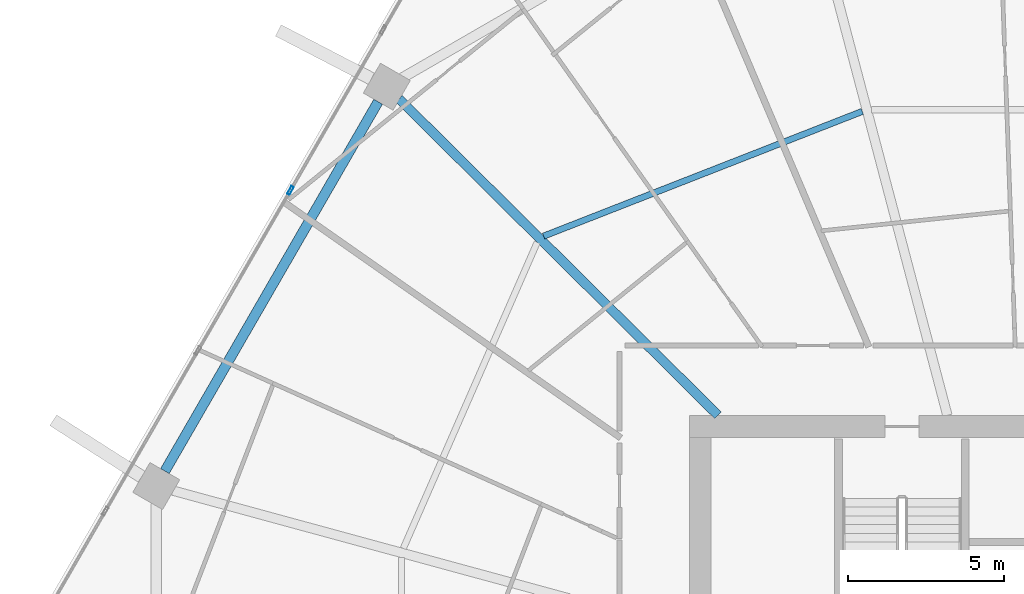
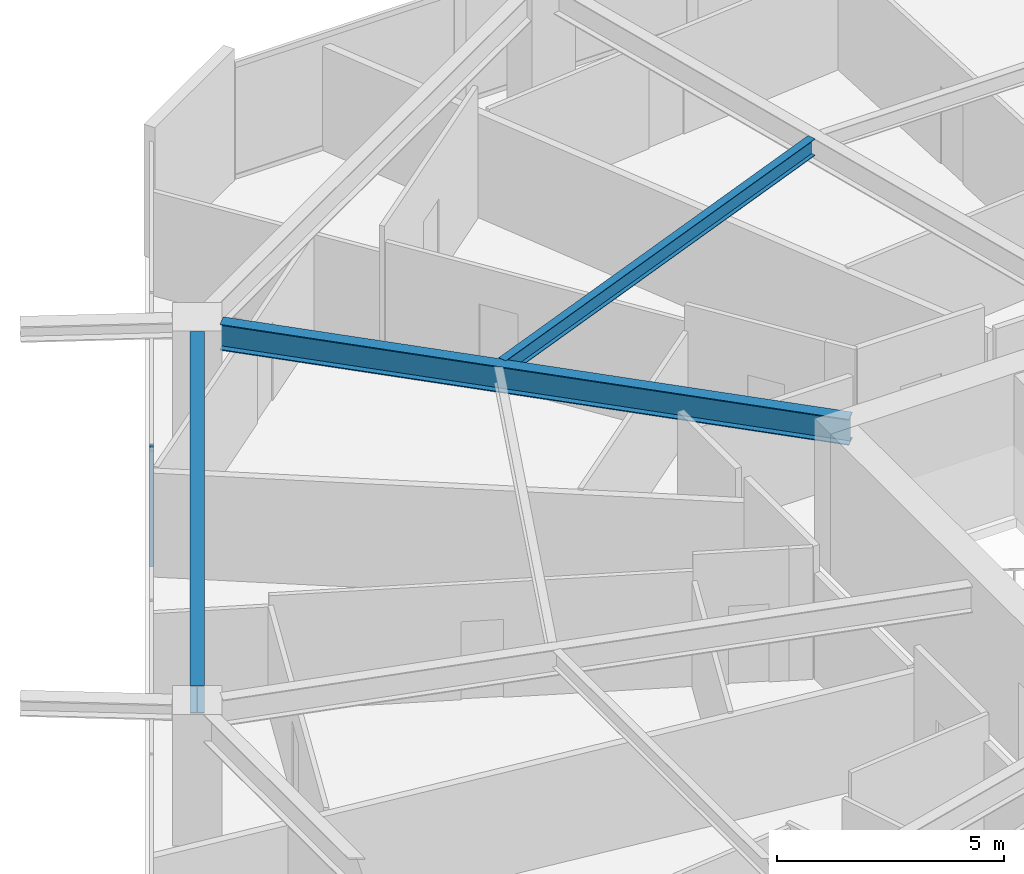
# One storey, part 14 of 32: 3 beams, 1 member, 1 element without a shape of its own.
"""IFC4 building model written with IfcOpenShell, lengths in metres."""

from ifc_helpers import new_model, si_unit, direction, frame, origin, origin_2d, place, context, subcontext, project, spatial, hollow_rectangle, i_section, extrude, material, material_profile, profile_set, type_object, element, aggregate, save


model = new_model("IFC4")

# Units and contexts
model_context = context("Model", 3, precision=1e-05, world=origin(), true_north=direction((0.0, 1.0)))
body_context = subcontext(model_context, "Body", "Model", "MODEL_VIEW")
ifc_project = project(units=[si_unit("LENGTHUNIT", "METRE"), si_unit("AREAUNIT", "SQUARE_METRE"), si_unit("VOLUMEUNIT", "CUBIC_METRE"), si_unit("PLANEANGLEUNIT", "RADIAN"), si_unit("MASSUNIT", "GRAM", prefix="KILO")], contexts=[model_context])

# Site, building, storey
site_placement = place(None, origin())
site = spatial("IfcSite", under=ifc_project, at=site_placement, CompositionType="ELEMENT")
building_placement = place(site_placement, origin())
building = spatial("IfcBuilding", under=site, at=building_placement, Name="Zuhravey Tower", CompositionType="ELEMENT")
storey_placement = place(building_placement, frame((0.0, 0.0, 111.39990234375)))
storey = spatial("IfcBuildingStorey", under=building, at=storey_placement, Name="L27", CompositionType="ELEMENT", Elevation=111.39990234375)

# Curtain wall, member
ifc_material_1 = material(Name="Thermally broken anodised aluminium", Category="aluminium")
curtain_wall_type = type_object("IfcCurtainWallType", Name="Zone 1-2 Residential Curtain Wall CW3", PredefinedType="NOTDEFINED", material=ifc_material_1)
curtain_wall_placement = place(storey_placement, origin())
curtain_wall = element("IfcCurtainWall", 1, at=curtain_wall_placement, inside=storey, type_object=curtain_wall_type, Name="L27 CW3 CW-L27-F3-1", PredefinedType="NOTDEFINED")
ifc_material_2 = material(Name="Anodised aluminium", Category="aluminium")
ifc_material_profile_1 = material_profile(ifc_material_2, hollow_rectangle(XDim=0.090087890625, YDim=0.284912109375, WallThickness=0.0048828125, at=origin_2d()), Name="ALU-RHS-90x285x5")
ifc_profile_set_1 = profile_set([ifc_material_profile_1], Name="Anodised aluminium")
member_type = type_object("IfcMemberType", Name="Curtain-Wall Mullion 90x180", PredefinedType="MULLION", material=ifc_profile_set_1)
member_placement = place(storey_placement, frame((12.401123046875, 49.04248046875, 0.0), z_axis=(0.0, 0.0, 1.0), x_axis=(-0.86602552265, 0.499999794119, 0.0)))
member = element("IfcMember", 2, at=member_placement, type_object=member_type, Name="CW3 mullion 4", PredefinedType="MULLION", context=body_context, shape_type="SweptSolid", body=[
    extrude(hollow_rectangle(XDim=0.090087890625, YDim=0.284912109375, WallThickness=0.0048828125, at=origin_2d()), origin(), (0.0, 0.0, 1.0), 3.1220703125),
])
aggregate(curtain_wall, [member])

# Beams
ifc_material_3 = material(Name="Steel SM355", Category="steel")
ifc_material_profile_2 = material_profile(ifc_material_3, i_section(OverallWidth=0.320068359375, OverallDepth=0.75, WebThickness=0.013916015625, FlangeThickness=0.02490234375, at=origin_2d()), Name="H-750x320x14x25")
ifc_profile_set_2 = profile_set([ifc_material_profile_2], Name="Steel SM355")
beam_type_1 = type_object("IfcBeamType", Name="Perimeter Ring Beam H750x320", PredefinedType="BEAM", material=ifc_profile_set_2)
beam_1_placement = place(storey_placement, frame((15.20458984375, 51.8779296875, 3.175048828125), z_axis=(-0.500008177929, -0.866020682204, 0.0), x_axis=(0.866020682204, -0.500008177929, 0.0)))
element("IfcBeam", 3, at=beam_1_placement, inside=storey, type_object=beam_type_1, Name="L27 PB1 BM-L27-PB-05", PredefinedType="BEAM", context=body_context, shape_type="SweptSolid", body=[
    extrude(i_section(OverallWidth=0.320068359375, OverallDepth=0.75, WebThickness=0.013916015625, FlangeThickness=0.02490234375, at=origin_2d()), origin(), (0.0, 0.0, 1.0), 13.634033203125),
])
ifc_material_profile_3 = material_profile(ifc_material_3, i_section(OverallWidth=0.300048828125, OverallDepth=0.699951171875, WebThickness=0.012939453125, FlangeThickness=0.02392578125, at=origin_2d()), Name="H-700x300x13x24")
ifc_profile_set_3 = profile_set([ifc_material_profile_3], Name="Steel SM355")
beam_type_2 = type_object("IfcBeamType", Name="Radial Primary Girder H700x300", PredefinedType="BEAM", material=ifc_profile_set_3)
beam_2_placement = place(storey_placement, frame((26.068603515625, 41.85302734375, 3.2001953125), z_axis=(-0.709906230344, 0.704296204816, 0.0), x_axis=(-0.704296204816, -0.709906230344, 0.0)))
element("IfcBeam", 4, at=beam_2_placement, inside=storey, type_object=beam_type_2, Name="L27 RG1 BM-L27-RAD-05", PredefinedType="BEAM", context=body_context, shape_type="SweptSolid", body=[
    extrude(i_section(OverallWidth=0.300048828125, OverallDepth=0.699951171875, WebThickness=0.012939453125, FlangeThickness=0.02392578125, at=origin_2d()), origin(), (0.0, 0.0, 1.0), 14.361083984375),
])
ifc_material_profile_4 = material_profile(ifc_material_3, i_section(OverallWidth=0.199951171875, OverallDepth=0.449951171875, WebThickness=0.009033203125, FlangeThickness=0.013916015625, at=origin_2d()), Name="H-450x200x9x14")
ifc_profile_set_4 = profile_set([ifc_material_profile_4], Name="Steel SM355")
beam_type_3 = type_object("IfcBeamType", Name="Secondary Floor Joist H450x200", PredefinedType="JOIST", material=ifc_profile_set_4)
beam_3_placement = place(storey_placement, frame((30.681640625, 51.568359375, 3.3251953125), z_axis=(-0.931216764731, -0.364465824302, 0.0), x_axis=(0.364465824302, -0.931216764731, 0.0)))
element("IfcBeam", 5, at=beam_3_placement, inside=storey, type_object=beam_type_3, Name="L27 SJ1 BM-L27-SJ-04-1", PredefinedType="JOIST", context=body_context, shape_type="SweptSolid", body=[
    extrude(i_section(OverallWidth=0.199951171875, OverallDepth=0.449951171875, WebThickness=0.009033203125, FlangeThickness=0.013916015625, at=origin_2d()), origin(), (0.0, 0.0, 1.0), 10.939453125),
])

save(model, "model.ifc")
